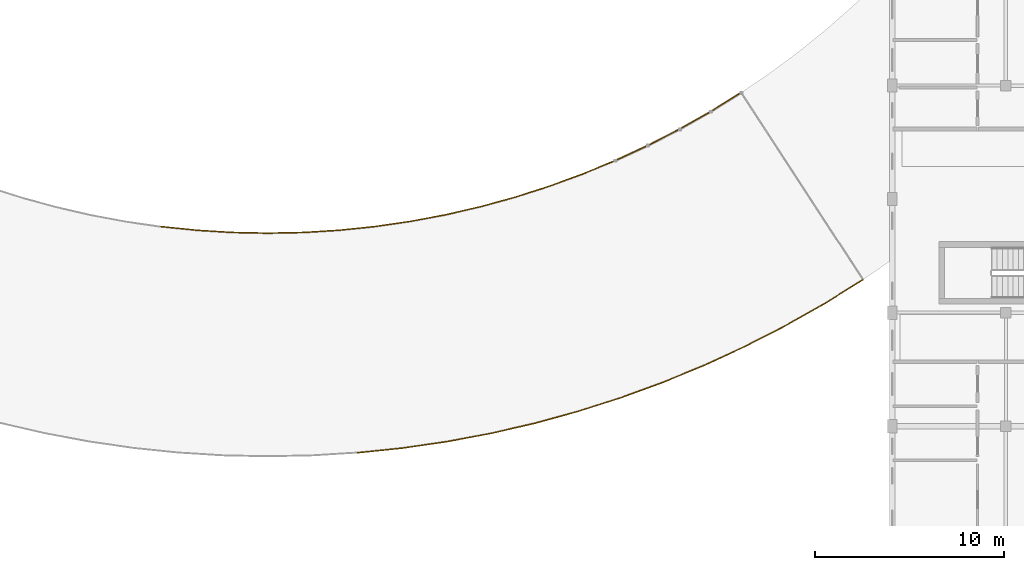
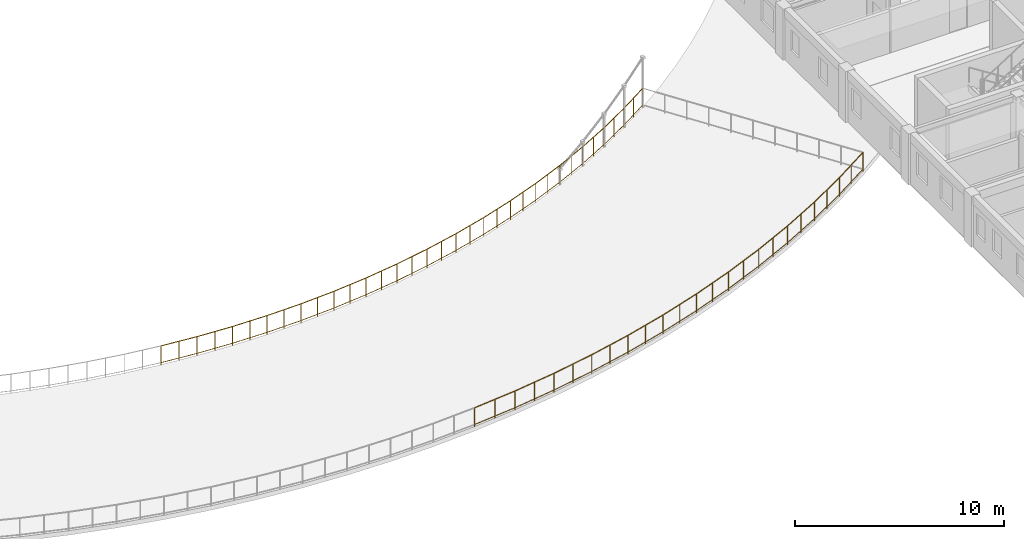
# One storey, part 52 of 58: 29 railings.
"""IFC4 building model written with IfcOpenShell, lengths in metres."""

import ifcopenshell
import ifcopenshell.guid

model = None  # the IFC model being written
_history = None  # IfcOwnerHistory: only IFC2X3 demands one
_inside = {}  # id of a spatial element -> (the spatial element, [elements in it])
_under = {}  # id of a project, library or spatial element -> (it, [spatial elements below it])
_declared = {}  # id of a project -> (the project, [libraries it declares])
_typed = {}  # id of a type object -> (the type object, [elements of that type])
_made_of = {}  # id of a material, layer set ... -> (it, [elements and type objects made of it])


def new_model(schema):
    """Start an empty IFC model of exactly this schema.

    Asked for "IFC4X3", IfcOpenShell would pick the latest addendum, in which some entities
    have other attributes; the version numbers below select the first issue.
    IFC2X3 requires an IfcOwnerHistory on every rooted entity: one is made here for all.
    """
    global model, _history
    if schema == "IFC4X3":
        model = ifcopenshell.file(schema_version=(4, 3, 0, 0))
    else:
        model = ifcopenshell.file(schema=schema)
    _inside.clear()
    _under.clear()
    _declared.clear()
    _typed.clear()
    _made_of.clear()
    _history = None
    if model.schema == "IFC2X3":
        org = make("IfcOrganization", Name="unknown")
        user = make(
            "IfcPersonAndOrganization",
            ThePerson=make("IfcPerson", FamilyName="unknown"),
            TheOrganization=org,
        )
        app = make(
            "IfcApplication",
            ApplicationDeveloper=org,
            Version="unknown",
            ApplicationFullName="unknown",
            ApplicationIdentifier="unknown",
        )
        _history = make(
            "IfcOwnerHistory",
            OwningUser=user,
            OwningApplication=app,
            ChangeAction="ADDED",
            CreationDate=0,
        )
    return model


def make(cls, **values):
    """One entity of the class cls with the attributes given. An attribute that is None is left unset."""
    return model.create_entity(
        cls, **{name: value for name, value in values.items() if value is not None}
    )


def rooted(cls, **values):
    """An entity with a GlobalId (a new one), such as an element, a storey or a relation."""
    return make(cls, GlobalId=ifcopenshell.guid.new(), OwnerHistory=_history, **values)


def si_unit(unit_type, name, prefix=None):
    """IfcSIUnit, for example si_unit("LENGTHUNIT", "METRE", prefix="MILLI")."""
    return make("IfcSIUnit", UnitType=unit_type, Prefix=prefix, Name=name)


def assignment(units):
    """IfcUnitAssignment: the units of a project."""
    return None if units is None else make("IfcUnitAssignment", Units=units)


def point(xyz):
    """IfcCartesianPoint."""
    return None if xyz is None else make("IfcCartesianPoint", Coordinates=xyz)


def direction(xyz):
    """IfcDirection."""
    return None if xyz is None else make("IfcDirection", DirectionRatios=xyz)


def frame(location, z_axis=None, x_axis=None):
    """IfcAxis2Placement3D, a coordinate frame: its origin and axes. An axis left out is left unset."""
    return make(
        "IfcAxis2Placement3D",
        Location=point(location),
        Axis=direction(z_axis),
        RefDirection=direction(x_axis),
    )


def frame_2d(location, x_axis=None):
    """IfcAxis2Placement2D, a coordinate frame in the plane: its origin and x axis."""
    return make(
        "IfcAxis2Placement2D", Location=point(location), RefDirection=direction(x_axis)
    )


def origin():
    """The frame at (0, 0, 0) with its axes left unset."""
    return frame((0.0, 0.0, 0.0))


def origin_2d():
    """The frame at (0, 0) in the plane with its x axis left unset."""
    return frame_2d((0.0, 0.0))


def place(relative_to, where):
    """IfcLocalPlacement: puts the frame where relative to a parent placement (None: the world)."""
    return make(
        "IfcLocalPlacement", PlacementRelTo=relative_to, RelativePlacement=where
    )


def context(
    kind, dimensions, precision=None, world=None, true_north=None, identifier=None
):
    """IfcGeometricRepresentationContext, for example the 3D "Model" context."""
    return make(
        "IfcGeometricRepresentationContext",
        ContextIdentifier=identifier,
        ContextType=kind,
        CoordinateSpaceDimension=dimensions,
        Precision=precision,
        WorldCoordinateSystem=world,
        TrueNorth=true_north,
    )


def subcontext(parent, identifier, kind, view, scale=None):
    """IfcGeometricRepresentationSubContext, for example "Body" below "Model"."""
    return make(
        "IfcGeometricRepresentationSubContext",
        ContextIdentifier=identifier,
        ContextType=kind,
        ParentContext=parent,
        TargetScale=scale,
        TargetView=view,
    )


def project(units=None, contexts=None):
    """IfcProject with its units and contexts."""
    return rooted(
        "IfcProject",
        Name="project",
        RepresentationContexts=contexts,
        UnitsInContext=assignment(units),
    )


def spatial(cls, under=None, at=None, **own):
    """A site, building, storey or space (cls), placed at a placement, below another one or the project."""
    s = rooted(cls, ObjectPlacement=at, **own)
    if under is not None:
        _under.setdefault(under.id(), (under, []))[1].append(s)
    return s


def profile(cls, at=None, kind="AREA", **sizes):
    """A parametric profile (cls). Its sizes go by their IFC names, for example OverallWidth=200.0."""
    return make(cls, ProfileType=kind, Position=at, **sizes)


def circle(**sizes):
    """IfcCircleProfileDef."""
    return profile("IfcCircleProfileDef", **sizes)


def extrude(swept, where, along, depth):
    """IfcExtrudedAreaSolid: the profile swept, set in the frame where, extruded along a direction by depth."""
    return make(
        "IfcExtrudedAreaSolid",
        SweptArea=swept,
        Position=where,
        ExtrudedDirection=direction(along),
        Depth=depth,
    )


def shape(context_of_items, identifier, shape_type, items):
    """IfcShapeRepresentation: the items that make up one representation, for example the "Body"."""
    return make(
        "IfcShapeRepresentation",
        ContextOfItems=context_of_items,
        RepresentationIdentifier=identifier,
        RepresentationType=shape_type,
        Items=items,
    )


def material(Name=None, Category=None):
    """IfcMaterial."""
    return make("IfcMaterial", Name=Name, Category=Category)


def layer(
    of_material, thickness, ventilated=None, Name=None, Category=None, Priority=None
):
    """IfcMaterialLayer: one layer of a wall or slab, of a material (None: an air gap)."""
    return make(
        "IfcMaterialLayer",
        Material=of_material,
        LayerThickness=thickness,
        IsVentilated=ventilated,
        Name=Name,
        Category=Category,
        Priority=Priority,
    )


def layer_set(layers, Name=None):
    """IfcMaterialLayerSet."""
    return make("IfcMaterialLayerSet", MaterialLayers=layers, LayerSetName=Name)


def made_of(thing, what):
    """Note that an element or type object is made of a material, layer set ...; save() writes the relation."""
    if what is not None:
        _made_of.setdefault(what.id(), (what, []))[1].append(thing)
    return thing


def type_object(cls, material=None, **own):
    """A type object (cls), such as IfcWallType, which elements share."""
    return made_of(rooted(cls, **own), material)


def element(
    cls,
    number,
    at=None,
    inside=None,
    cuts=None,
    type_object=None,
    material=None,
    context=None,
    identifier="Body",
    shape_type=None,
    held_by="IfcProductDefinitionShape",
    body=None,
    shapes=None,
    **own,
):
    """One element of the class cls, such as IfcWall. Its Tag is "e" and its number.

    at: its placement. inside: the storey or other place that contains it. cuts: it is an
    opening in that element (IfcRelVoidsElement). A single representation is given by context,
    identifier, shape_type and body (its items); several are given by shapes. held_by: the class
    of the entity that holds the representations. save() writes the other relations.
    """
    e = rooted(cls, Tag="e%d" % number, ObjectPlacement=at, **own)
    if body is not None:
        shapes = [shape(context, identifier, shape_type, body)]
    if shapes is not None:
        e.Representation = make(held_by, Representations=shapes)
    if inside is not None:
        _inside.setdefault(inside.id(), (inside, []))[1].append(e)
    if cuts is not None:
        rooted(
            "IfcRelVoidsElement", RelatingBuildingElement=cuts, RelatedOpeningElement=e
        )
    if type_object is not None:
        _typed.setdefault(type_object.id(), (type_object, []))[1].append(e)
    return made_of(e, material)


def aggregate(whole, parts):
    """IfcRelAggregates: a whole, such as a stair, and the parts it consists of."""
    return rooted("IfcRelAggregates", RelatingObject=whole, RelatedObjects=parts)


def save(model, path):
    """Write the relations noted so far, then the file.

    IfcRelAggregates (storeys below a building ...), IfcRelContainedInSpatialStructure (elements
    in a storey), IfcRelDefinesByType, IfcRelAssociatesMaterial and IfcRelDeclares: one each for
    every whole, place, type object, material and project.
    """
    for whole, parts in _under.values():
        aggregate(whole, parts)
    for where, things in _inside.values():
        rooted(
            "IfcRelContainedInSpatialStructure",
            RelatedElements=things,
            RelatingStructure=where,
        )
    for kind, things in _typed.values():
        rooted("IfcRelDefinesByType", RelatedObjects=things, RelatingType=kind)
    for what, things in _made_of.values():
        rooted("IfcRelAssociatesMaterial", RelatedObjects=things, RelatingMaterial=what)
    for by, libraries in _declared.values():
        rooted("IfcRelDeclares", RelatingContext=by, RelatedDefinitions=libraries)
    model.write(path)


model = new_model("IFC4")

# Units and contexts
model_context = context("Model", 3, precision=1e-05, world=origin(), true_north=direction((0.0, 1.0)))
body_context = subcontext(model_context, "Body", "Model", "MODEL_VIEW")
ifc_project = project(units=[si_unit("LENGTHUNIT", "METRE"), si_unit("AREAUNIT", "SQUARE_METRE"), si_unit("VOLUMEUNIT", "CUBIC_METRE"), si_unit("PLANEANGLEUNIT", "RADIAN"), si_unit("MASSUNIT", "GRAM", prefix="KILO"), si_unit("POWERUNIT", "WATT"), si_unit("THERMODYNAMICTEMPERATUREUNIT", "KELVIN")], contexts=[model_context])

# Site, building, storey
site_placement = place(None, origin())
site = spatial("IfcSite", under=ifc_project, at=site_placement, CompositionType="ELEMENT")
building_placement = place(site_placement, origin())
building = spatial("IfcBuilding", under=site, at=building_placement, Name="Ruvembo Vaulted Housing Court", CompositionType="ELEMENT")
storey_placement = place(building_placement, frame((0.0, 0.0, 20.5)))
storey = spatial("IfcBuildingStorey", under=building, at=storey_placement, Name="L06", CompositionType="ELEMENT", Elevation=20.5)

# Railings
ifc_material = material(Name="Galvanised Painted Steel and Laminated Glass", Category="steel")
ifc_layer = layer(ifc_material, 0.070068359375, Name="Galvanised Painted Steel and Laminated Glass")
ifc_layer_set = layer_set([ifc_layer], Name="Galvanised Painted Steel and Laminated Glass")
railing_type = type_object("IfcRailingType", Name="RL-BALUST-1120", PredefinedType="BALUSTRADE", material=ifc_layer_set)
railing_1_placement = place(storey_placement, frame((63.34619140625, 16.55029296875, 0.0)))
element("IfcRailing", 1, at=railing_1_placement, inside=storey, type_object=railing_type, Name="L06 Perimeter Guard RL-EXT-L06-0508", PredefinedType="BALUSTRADE", context=body_context, shape_type="SweptSolid", body=[
    extrude(circle(Radius=0.02392578125, at=origin_2d()), frame((0.0, 0.0, 1.09619140625), z_axis=(0.994683125416, -0.10298291127, 0.0), x_axis=(0.10298291127, 0.994683125416, 0.0)), (0.0, 0.0, 1.0), 1.889404296875),
    extrude(circle(Radius=0.01806640625, at=origin_2d()), frame((0.0, 0.0, 0.1201171875), z_axis=(0.994683125416, -0.10298291127, 0.0), x_axis=(0.10298291127, 0.994683125416, 0.0)), (0.0, 0.0, 1.0), 1.889404296875),
    extrude(circle(Radius=0.02099609375, at=origin_2d()), origin(), (0.0, 0.0, 1.0), 1.072021484375),
    extrude(circle(Radius=0.02099609375, at=origin_2d()), frame((0.939697265625, -0.09716796875, 0.0)), (0.0, 0.0, 1.0), 1.072021484375),
    extrude(circle(Radius=0.02099609375, at=origin_2d()), frame((1.87939453125, -0.194580078125, 0.0)), (0.0, 0.0, 1.0), 1.072021484375),
])
railing_2_placement = place(storey_placement, frame((65.2255859375, 16.355712890625, 0.0)))
element("IfcRailing", 2, at=railing_2_placement, inside=storey, type_object=railing_type, Name="L06 Perimeter Guard RL-EXT-L06-0509", PredefinedType="BALUSTRADE", context=body_context, shape_type="SweptSolid", body=[
    extrude(circle(Radius=0.02392578125, at=origin_2d()), frame((0.0, 0.0, 1.09619140625), z_axis=(0.998090110864, -0.061774837886, 0.0), x_axis=(0.061774837886, 0.998090110864, 0.0)), (0.0, 0.0, 1.0), 1.88916015625),
    extrude(circle(Radius=0.01806640625, at=origin_2d()), frame((0.0, 0.0, 0.1201171875), z_axis=(0.998090110864, -0.061774837886, 0.0), x_axis=(0.061774837886, 0.998090110864, 0.0)), (0.0, 0.0, 1.0), 1.88916015625),
    extrude(circle(Radius=0.02099609375, at=origin_2d()), origin(), (0.0, 0.0, 1.0), 1.072021484375),
    extrude(circle(Radius=0.02099609375, at=origin_2d()), frame((0.94287109375, -0.058349609375, 0.0)), (0.0, 0.0, 1.0), 1.072021484375),
    extrude(circle(Radius=0.02099609375, at=origin_2d()), frame((1.885498046875, -0.11669921875, 0.0)), (0.0, 0.0, 1.0), 1.072021484375),
])
railing_3_placement = place(storey_placement, frame((67.111083984375, 16.239013671875, 0.0)))
element("IfcRailing", 3, at=railing_3_placement, inside=storey, type_object=railing_type, Name="L06 Perimeter Guard RL-EXT-L06-0510", PredefinedType="BALUSTRADE", context=body_context, shape_type="SweptSolid", body=[
    extrude(circle(Radius=0.02392578125, at=origin_2d()), frame((0.0, 0.0, 1.09619140625), z_axis=(0.99978624046, -0.020675429556, 0.0), x_axis=(0.020675429556, 0.99978624046, 0.0)), (0.0, 0.0, 1.0), 1.889404296875),
    extrude(circle(Radius=0.01806640625, at=origin_2d()), frame((0.0, 0.0, 0.1201171875), z_axis=(0.99978624046, -0.020675429556, 0.0), x_axis=(0.020675429556, 0.99978624046, 0.0)), (0.0, 0.0, 1.0), 1.889404296875),
    extrude(circle(Radius=0.02099609375, at=origin_2d()), origin(), (0.0, 0.0, 1.0), 1.072021484375),
    extrude(circle(Radius=0.02099609375, at=origin_2d()), frame((0.9443359375, -0.01953125, 0.0)), (0.0, 0.0, 1.0), 1.072021484375),
    extrude(circle(Radius=0.02099609375, at=origin_2d()), frame((1.888916015625, -0.0390625, 0.0)), (0.0, 0.0, 1.0), 1.072021484375),
])
railing_4_placement = place(storey_placement, frame((69.0, 16.199951171875, 0.0)))
element("IfcRailing", 4, at=railing_4_placement, inside=storey, type_object=railing_type, Name="L06 Perimeter Guard RL-EXT-L06-0511", PredefinedType="BALUSTRADE", context=body_context, shape_type="SweptSolid", body=[
    extrude(circle(Radius=0.02392578125, at=origin_2d()), frame((0.0, 0.0, 1.09619140625), z_axis=(0.99978624046, 0.020675429556, 0.0), x_axis=(-0.020675429556, 0.99978624046, 0.0)), (0.0, 0.0, 1.0), 1.889404296875),
    extrude(circle(Radius=0.01806640625, at=origin_2d()), frame((0.0, 0.0, 0.1201171875), z_axis=(0.99978624046, 0.020675429556, 0.0), x_axis=(-0.020675429556, 0.99978624046, 0.0)), (0.0, 0.0, 1.0), 1.889404296875),
    extrude(circle(Radius=0.02099609375, at=origin_2d()), origin(), (0.0, 0.0, 1.0), 1.072021484375),
    extrude(circle(Radius=0.02099609375, at=origin_2d()), frame((0.9443359375, 0.01953125, 0.0)), (0.0, 0.0, 1.0), 1.072021484375),
    extrude(circle(Radius=0.02099609375, at=origin_2d()), frame((1.888916015625, 0.0390625, 0.0)), (0.0, 0.0, 1.0), 1.072021484375),
])
railing_5_placement = place(storey_placement, frame((70.888916015625, 16.239013671875, 0.0)))
element("IfcRailing", 5, at=railing_5_placement, inside=storey, type_object=railing_type, Name="L06 Perimeter Guard RL-EXT-L06-0512", PredefinedType="BALUSTRADE", context=body_context, shape_type="SweptSolid", body=[
    extrude(circle(Radius=0.02392578125, at=origin_2d()), frame((0.0, 0.0, 1.09619140625), z_axis=(0.998090110864, 0.061774837886, 0.0), x_axis=(-0.061774837886, 0.998090110864, 0.0)), (0.0, 0.0, 1.0), 1.88916015625),
    extrude(circle(Radius=0.01806640625, at=origin_2d()), frame((0.0, 0.0, 0.1201171875), z_axis=(0.998090110864, 0.061774837886, 0.0), x_axis=(-0.061774837886, 0.998090110864, 0.0)), (0.0, 0.0, 1.0), 1.88916015625),
    extrude(circle(Radius=0.02099609375, at=origin_2d()), origin(), (0.0, 0.0, 1.0), 1.072021484375),
    extrude(circle(Radius=0.02099609375, at=origin_2d()), frame((0.94287109375, 0.058349609375, 0.0)), (0.0, 0.0, 1.0), 1.072021484375),
    extrude(circle(Radius=0.02099609375, at=origin_2d()), frame((1.885498046875, 0.11669921875, 0.0)), (0.0, 0.0, 1.0), 1.072021484375),
])
railing_6_placement = place(storey_placement, frame((72.7744140625, 16.355712890625, 0.0)))
element("IfcRailing", 6, at=railing_6_placement, inside=storey, type_object=railing_type, Name="L06 Perimeter Guard RL-EXT-L06-0513", PredefinedType="BALUSTRADE", context=body_context, shape_type="SweptSolid", body=[
    extrude(circle(Radius=0.02392578125, at=origin_2d()), frame((0.0, 0.0, 1.09619140625), z_axis=(0.994683125416, 0.10298291127, 0.0), x_axis=(-0.10298291127, 0.994683125416, 0.0)), (0.0, 0.0, 1.0), 1.889404296875),
    extrude(circle(Radius=0.01806640625, at=origin_2d()), frame((0.0, 0.0, 0.1201171875), z_axis=(0.994683125416, 0.10298291127, 0.0), x_axis=(-0.10298291127, 0.994683125416, 0.0)), (0.0, 0.0, 1.0), 1.889404296875),
    extrude(circle(Radius=0.02099609375, at=origin_2d()), origin(), (0.0, 0.0, 1.0), 1.072021484375),
    extrude(circle(Radius=0.02099609375, at=origin_2d()), frame((0.939697265625, 0.09716796875, 0.0)), (0.0, 0.0, 1.0), 1.072021484375),
    extrude(circle(Radius=0.02099609375, at=origin_2d()), frame((1.87939453125, 0.194580078125, 0.0)), (0.0, 0.0, 1.0), 1.072021484375),
])
railing_7_placement = place(storey_placement, frame((74.65380859375, 16.55029296875, 0.0)))
element("IfcRailing", 7, at=railing_7_placement, inside=storey, type_object=railing_type, Name="L06 Perimeter Guard RL-EXT-L06-0514", PredefinedType="BALUSTRADE", context=body_context, shape_type="SweptSolid", body=[
    extrude(circle(Radius=0.02392578125, at=origin_2d()), frame((0.0, 0.0, 1.09619140625), z_axis=(0.989600158039, 0.143845497701, 0.0), x_axis=(-0.143845497701, 0.989600158039, 0.0)), (0.0, 0.0, 1.0), 1.888916015625),
    extrude(circle(Radius=0.01806640625, at=origin_2d()), frame((0.0, 0.0, 0.1201171875), z_axis=(0.989600158039, 0.143845497701, 0.0), x_axis=(-0.143845497701, 0.989600158039, 0.0)), (0.0, 0.0, 1.0), 1.888916015625),
    extrude(circle(Radius=0.02099609375, at=origin_2d()), origin(), (0.0, 0.0, 1.0), 1.072021484375),
    extrude(circle(Radius=0.02099609375, at=origin_2d()), frame((0.9345703125, 0.1357421875, 0.0)), (0.0, 0.0, 1.0), 1.072021484375),
    extrude(circle(Radius=0.02099609375, at=origin_2d()), frame((1.869384765625, 0.271728515625, 0.0)), (0.0, 0.0, 1.0), 1.072021484375),
])
railing_8_placement = place(storey_placement, frame((76.523193359375, 16.822021484375, 0.0)))
element("IfcRailing", 8, at=railing_8_placement, inside=storey, type_object=railing_type, Name="L06 Perimeter Guard RL-EXT-L06-0515", PredefinedType="BALUSTRADE", context=body_context, shape_type="SweptSolid", body=[
    extrude(circle(Radius=0.02392578125, at=origin_2d()), frame((0.0, 0.0, 1.09619140625), z_axis=(0.982804832401, 0.184647397515, 0.0), x_axis=(-0.184647397515, 0.982804832401, 0.0)), (0.0, 0.0, 1.0), 1.889404296875),
    extrude(circle(Radius=0.01806640625, at=origin_2d()), frame((0.0, 0.0, 0.1201171875), z_axis=(0.982804832401, 0.184647397515, 0.0), x_axis=(-0.184647397515, 0.982804832401, 0.0)), (0.0, 0.0, 1.0), 1.889404296875),
    extrude(circle(Radius=0.02099609375, at=origin_2d()), origin(), (0.0, 0.0, 1.0), 1.072021484375),
    extrude(circle(Radius=0.02099609375, at=origin_2d()), frame((0.928466796875, 0.17431640625, 0.0)), (0.0, 0.0, 1.0), 1.072021484375),
    extrude(circle(Radius=0.02099609375, at=origin_2d()), frame((1.85693359375, 0.348876953125, 0.0)), (0.0, 0.0, 1.0), 1.072021484375),
])
railing_9_placement = place(storey_placement, frame((78.380126953125, 17.1708984375, 0.0)))
element("IfcRailing", 9, at=railing_9_placement, inside=storey, type_object=railing_type, Name="L06 Perimeter Guard RL-EXT-L06-0516", PredefinedType="BALUSTRADE", context=body_context, shape_type="SweptSolid", body=[
    extrude(circle(Radius=0.02392578125, at=origin_2d()), frame((0.0, 0.0, 1.09619140625), z_axis=(0.974391195695, 0.224859506699, 0.0), x_axis=(-0.224859506699, 0.974391195695, 0.0)), (0.0, 0.0, 1.0), 1.88916015625),
    extrude(circle(Radius=0.01806640625, at=origin_2d()), frame((0.0, 0.0, 0.1201171875), z_axis=(0.974391195695, 0.224859506699, 0.0), x_axis=(-0.224859506699, 0.974391195695, 0.0)), (0.0, 0.0, 1.0), 1.88916015625),
    extrude(circle(Radius=0.02099609375, at=origin_2d()), origin(), (0.0, 0.0, 1.0), 1.072021484375),
    extrude(circle(Radius=0.02099609375, at=origin_2d()), frame((0.92041015625, 0.21240234375, 0.0)), (0.0, 0.0, 1.0), 1.072021484375),
    extrude(circle(Radius=0.02099609375, at=origin_2d()), frame((1.8408203125, 0.4248046875, 0.0)), (0.0, 0.0, 1.0), 1.072021484375),
])
railing_10_placement = place(storey_placement, frame((80.220947265625, 17.595703125, 0.0)))
element("IfcRailing", 10, at=railing_10_placement, inside=storey, type_object=railing_type, Name="L06 Perimeter Guard RL-EXT-L06-0517", PredefinedType="BALUSTRADE", context=body_context, shape_type="SweptSolid", body=[
    extrude(circle(Radius=0.02392578125, at=origin_2d()), frame((0.0, 0.0, 1.09619140625), z_axis=(0.964240073493, 0.26503033915, 0.0), x_axis=(-0.26503033915, 0.964240073493, 0.0)), (0.0, 0.0, 1.0), 1.889404296875),
    extrude(circle(Radius=0.01806640625, at=origin_2d()), frame((0.0, 0.0, 0.1201171875), z_axis=(0.964240073493, 0.26503033915, 0.0), x_axis=(-0.26503033915, 0.964240073493, 0.0)), (0.0, 0.0, 1.0), 1.889404296875),
    extrude(circle(Radius=0.02099609375, at=origin_2d()), origin(), (0.0, 0.0, 1.0), 1.072021484375),
    extrude(circle(Radius=0.02099609375, at=origin_2d()), frame((0.910888671875, 0.25048828125, 0.0)), (0.0, 0.0, 1.0), 1.072021484375),
    extrude(circle(Radius=0.02099609375, at=origin_2d()), frame((1.82177734375, 0.500732421875, 0.0)), (0.0, 0.0, 1.0), 1.072021484375),
])
railing_11_placement = place(storey_placement, frame((82.042724609375, 18.096435546875, 0.0)))
element("IfcRailing", 11, at=railing_11_placement, inside=storey, type_object=railing_type, Name="L06 Perimeter Guard RL-EXT-L06-0518", PredefinedType="BALUSTRADE", context=body_context, shape_type="SweptSolid", body=[
    extrude(circle(Radius=0.02392578125, at=origin_2d()), frame((0.0, 0.0, 1.09619140625), z_axis=(0.952526124364, 0.304456864605, 0.0), x_axis=(-0.304456864605, 0.952526124364, 0.0)), (0.0, 0.0, 1.0), 1.88916015625),
    extrude(circle(Radius=0.01806640625, at=origin_2d()), frame((0.0, 0.0, 0.1201171875), z_axis=(0.952526124364, 0.304456864605, 0.0), x_axis=(-0.304456864605, 0.952526124364, 0.0)), (0.0, 0.0, 1.0), 1.88916015625),
    extrude(circle(Radius=0.02099609375, at=origin_2d()), origin(), (0.0, 0.0, 1.0), 1.072021484375),
    extrude(circle(Radius=0.02099609375, at=origin_2d()), frame((0.89990234375, 0.28759765625, 0.0)), (0.0, 0.0, 1.0), 1.072021484375),
    extrude(circle(Radius=0.02099609375, at=origin_2d()), frame((1.799560546875, 0.5751953125, 0.0)), (0.0, 0.0, 1.0), 1.072021484375),
])
railing_12_placement = place(storey_placement, frame((83.84228515625, 18.671630859375, 0.0)))
element("IfcRailing", 12, at=railing_12_placement, inside=storey, type_object=railing_type, Name="L06 Perimeter Guard RL-EXT-L06-0519", PredefinedType="BALUSTRADE", context=body_context, shape_type="SweptSolid", body=[
    extrude(circle(Radius=0.02392578125, at=origin_2d()), frame((0.0, 0.0, 1.09619140625), z_axis=(0.939165556371, 0.343464783824, 0.0), x_axis=(-0.343464783824, 0.939165556371, 0.0)), (0.0, 0.0, 1.0), 1.889404296875),
    extrude(circle(Radius=0.01806640625, at=origin_2d()), frame((0.0, 0.0, 0.1201171875), z_axis=(0.939165556371, 0.343464783824, 0.0), x_axis=(-0.343464783824, 0.939165556371, 0.0)), (0.0, 0.0, 1.0), 1.889404296875),
    extrude(circle(Radius=0.02099609375, at=origin_2d()), origin(), (0.0, 0.0, 1.0), 1.072021484375),
    extrude(circle(Radius=0.02099609375, at=origin_2d()), frame((0.88720703125, 0.324462890625, 0.0)), (0.0, 0.0, 1.0), 1.072021484375),
    extrude(circle(Radius=0.02099609375, at=origin_2d()), frame((1.7744140625, 0.64892578125, 0.0)), (0.0, 0.0, 1.0), 1.072021484375),
])
railing_13_placement = place(storey_placement, frame((85.61669921875, 19.320556640625, 0.0)))
element("IfcRailing", 13, at=railing_13_placement, inside=storey, type_object=railing_type, Name="L06 Perimeter Guard RL-EXT-L06-0520", PredefinedType="BALUSTRADE", context=body_context, shape_type="SweptSolid", body=[
    extrude(circle(Radius=0.02392578125, at=origin_2d()), frame((0.0, 0.0, 1.09619140625), z_axis=(0.924155321549, 0.38201693896, 0.0), x_axis=(-0.38201693896, 0.924155321549, 0.0)), (0.0, 0.0, 1.0), 1.88916015625),
    extrude(circle(Radius=0.01806640625, at=origin_2d()), frame((0.0, 0.0, 0.1201171875), z_axis=(0.924155321549, 0.38201693896, 0.0), x_axis=(-0.38201693896, 0.924155321549, 0.0)), (0.0, 0.0, 1.0), 1.88916015625),
    extrude(circle(Radius=0.02099609375, at=origin_2d()), origin(), (0.0, 0.0, 1.0), 1.072021484375),
    extrude(circle(Radius=0.02099609375, at=origin_2d()), frame((0.873046875, 0.36083984375, 0.0)), (0.0, 0.0, 1.0), 1.072021484375),
    extrude(circle(Radius=0.02099609375, at=origin_2d()), frame((1.745849609375, 0.7216796875, 0.0)), (0.0, 0.0, 1.0), 1.072021484375),
])
railing_14_placement = place(storey_placement, frame((87.362548828125, 20.042236328125, 0.0)))
element("IfcRailing", 14, at=railing_14_placement, inside=storey, type_object=railing_type, Name="L06 Perimeter Guard RL-EXT-L06-0521", PredefinedType="BALUSTRADE", context=body_context, shape_type="SweptSolid", body=[
    extrude(circle(Radius=0.02392578125, at=origin_2d()), frame((0.0, 0.0, 1.09619140625), z_axis=(0.907656578832, 0.419713634403, 0.0), x_axis=(-0.419713634403, 0.907656578832, 0.0)), (0.0, 0.0, 1.0), 1.889404296875),
    extrude(circle(Radius=0.01806640625, at=origin_2d()), frame((0.0, 0.0, 0.1201171875), z_axis=(0.907656578832, 0.419713634403, 0.0), x_axis=(-0.419713634403, 0.907656578832, 0.0)), (0.0, 0.0, 1.0), 1.889404296875),
    extrude(circle(Radius=0.02099609375, at=origin_2d()), origin(), (0.0, 0.0, 1.0), 1.072021484375),
    extrude(circle(Radius=0.02099609375, at=origin_2d()), frame((0.857421875, 0.396484375, 0.0)), (0.0, 0.0, 1.0), 1.072021484375),
    extrude(circle(Radius=0.02099609375, at=origin_2d()), frame((1.71484375, 0.79296875, 0.0)), (0.0, 0.0, 1.0), 1.072021484375),
])
railing_15_placement = place(storey_placement, frame((89.077392578125, 20.835205078125, 0.0)))
element("IfcRailing", 15, at=railing_15_placement, inside=storey, type_object=railing_type, Name="L06 Perimeter Guard RL-EXT-L06-0522", PredefinedType="BALUSTRADE", context=body_context, shape_type="SweptSolid", body=[
    extrude(circle(Radius=0.02392578125, at=origin_2d()), frame((0.0, 0.0, 1.09619140625), z_axis=(0.889568437347, 0.45680192127, 0.0), x_axis=(-0.45680192127, 0.889568437347, 0.0)), (0.0, 0.0, 1.0), 1.889404296875),
    extrude(circle(Radius=0.01806640625, at=origin_2d()), frame((0.0, 0.0, 0.1201171875), z_axis=(0.889568437347, 0.45680192127, 0.0), x_axis=(-0.45680192127, 0.889568437347, 0.0)), (0.0, 0.0, 1.0), 1.889404296875),
    extrude(circle(Radius=0.02099609375, at=origin_2d()), origin(), (0.0, 0.0, 1.0), 1.072021484375),
    extrude(circle(Radius=0.02099609375, at=origin_2d()), frame((0.84033203125, 0.431640625, 0.0)), (0.0, 0.0, 1.0), 1.072021484375),
    extrude(circle(Radius=0.02099609375, at=origin_2d()), frame((1.6806640625, 0.863037109375, 0.0)), (0.0, 0.0, 1.0), 1.072021484375),
])
railing_16_placement = place(storey_placement, frame((90.758056640625, 21.6982421875, 0.0)))
element("IfcRailing", 16, at=railing_16_placement, inside=storey, type_object=railing_type, Name="L06 Perimeter Guard RL-EXT-L06-0523", PredefinedType="BALUSTRADE", context=body_context, shape_type="SweptSolid", body=[
    extrude(circle(Radius=0.02392578125, at=origin_2d()), frame((0.0, 0.0, 1.09619140625), z_axis=(0.869955662473, 0.493129947712, 0.0), x_axis=(-0.493129947712, 0.869955662473, 0.0)), (0.0, 0.0, 1.0), 1.88916015625),
    extrude(circle(Radius=0.01806640625, at=origin_2d()), frame((0.0, 0.0, 0.1201171875), z_axis=(0.869955662473, 0.493129947712, 0.0), x_axis=(-0.493129947712, 0.869955662473, 0.0)), (0.0, 0.0, 1.0), 1.88916015625),
    extrude(circle(Radius=0.02099609375, at=origin_2d()), origin(), (0.0, 0.0, 1.0), 1.072021484375),
    extrude(circle(Radius=0.02099609375, at=origin_2d()), frame((0.82177734375, 0.4658203125, 0.0)), (0.0, 0.0, 1.0), 1.072021484375),
    extrude(circle(Radius=0.02099609375, at=origin_2d()), frame((1.6435546875, 0.931640625, 0.0)), (0.0, 0.0, 1.0), 1.072021484375),
])
railing_17_placement = place(storey_placement, frame((92.401611328125, 22.6298828125, 0.0)))
element("IfcRailing", 17, at=railing_17_placement, inside=storey, type_object=railing_type, Name="L06 Perimeter Guard RL-EXT-L06-0524", PredefinedType="BALUSTRADE", context=body_context, shape_type="SweptSolid", body=[
    extrude(circle(Radius=0.02392578125, at=origin_2d()), frame((0.0, 0.0, 1.09619140625), z_axis=(0.848904567119, 0.52854615307, 0.0), x_axis=(-0.52854615307, 0.848904567119, 0.0)), (0.0, 0.0, 1.0), 1.88916015625),
    extrude(circle(Radius=0.01806640625, at=origin_2d()), frame((0.0, 0.0, 0.1201171875), z_axis=(0.848904567119, 0.52854615307, 0.0), x_axis=(-0.52854615307, 0.848904567119, 0.0)), (0.0, 0.0, 1.0), 1.88916015625),
    extrude(circle(Radius=0.02099609375, at=origin_2d()), origin(), (0.0, 0.0, 1.0), 1.072021484375),
    extrude(circle(Radius=0.02099609375, at=origin_2d()), frame((0.8017578125, 0.499267578125, 0.0)), (0.0, 0.0, 1.0), 1.072021484375),
    extrude(circle(Radius=0.02099609375, at=origin_2d()), frame((1.603759765625, 0.99853515625, 0.0)), (0.0, 0.0, 1.0), 1.072021484375),
])
railing_18_placement = place(storey_placement, frame((100.44775390625, 13.742431640625, 0.0)))
element("IfcRailing", 18, at=railing_18_placement, inside=storey, type_object=railing_type, Name="L06 Perimeter Guard RL-EXT-L06-0526", PredefinedType="BALUSTRADE", context=body_context, shape_type="SweptSolid", body=[
    extrude(circle(Radius=0.02392578125, at=origin_2d()), frame((0.0, 0.0, 1.09619140625), z_axis=(-0.848880379805, -0.528584998634, 0.0), x_axis=(0.528584998634, -0.848880379805, 0.0)), (0.0, 0.0, 1.0), 2.3759765625),
    extrude(circle(Radius=0.01806640625, at=origin_2d()), frame((0.0, 0.0, 0.1201171875), z_axis=(-0.848880379805, -0.528584998634, 0.0), x_axis=(0.528584998634, -0.848880379805, 0.0)), (0.0, 0.0, 1.0), 2.3759765625),
    extrude(circle(Radius=0.02099609375, at=origin_2d()), origin(), (0.0, 0.0, 1.0), 1.072021484375),
    extrude(circle(Radius=0.02099609375, at=origin_2d()), frame((-1.00830078125, -0.6279296875, 0.0)), (0.0, 0.0, 1.0), 1.072021484375),
    extrude(circle(Radius=0.02099609375, at=origin_2d()), frame((-2.016845703125, -1.255859375, 0.0)), (0.0, 0.0, 1.0), 1.072021484375),
])
railing_19_placement = place(storey_placement, frame((98.430908203125, 12.486572265625, 0.0)))
element("IfcRailing", 19, at=railing_19_placement, inside=storey, type_object=railing_type, Name="L06 Perimeter Guard RL-EXT-L06-0527", PredefinedType="BALUSTRADE", context=body_context, shape_type="SweptSolid", body=[
    extrude(circle(Radius=0.02392578125, at=origin_2d()), frame((0.0, 0.0, 1.09619140625), z_axis=(-0.869976640693, -0.493092937131, 0.0), x_axis=(0.493092937131, -0.869976640693, 0.0)), (0.0, 0.0, 1.0), 2.3759765625),
    extrude(circle(Radius=0.01806640625, at=origin_2d()), frame((0.0, 0.0, 0.1201171875), z_axis=(-0.869976640693, -0.493092937131, 0.0), x_axis=(0.493092937131, -0.869976640693, 0.0)), (0.0, 0.0, 1.0), 2.3759765625),
    extrude(circle(Radius=0.02099609375, at=origin_2d()), origin(), (0.0, 0.0, 1.0), 1.072021484375),
    extrude(circle(Radius=0.02099609375, at=origin_2d()), frame((-1.03369140625, -0.5859375, 0.0)), (0.0, 0.0, 1.0), 1.072021484375),
    extrude(circle(Radius=0.02099609375, at=origin_2d()), frame((-2.067138671875, -1.171630859375, 0.0)), (0.0, 0.0, 1.0), 1.072021484375),
])
railing_20_placement = place(storey_placement, frame((96.36376953125, 11.31494140625, 0.0)))
element("IfcRailing", 20, at=railing_20_placement, inside=storey, type_object=railing_type, Name="L06 Perimeter Guard RL-EXT-L06-0528", PredefinedType="BALUSTRADE", context=body_context, shape_type="SweptSolid", body=[
    extrude(circle(Radius=0.02392578125, at=origin_2d()), frame((0.0, 0.0, 1.09619140625), z_axis=(-0.889545575332, -0.456846439636, 0.0), x_axis=(0.456846439636, -0.889545575332, 0.0)), (0.0, 0.0, 1.0), 2.3759765625),
    extrude(circle(Radius=0.01806640625, at=origin_2d()), frame((0.0, 0.0, 0.1201171875), z_axis=(-0.889545575332, -0.456846439636, 0.0), x_axis=(0.456846439636, -0.889545575332, 0.0)), (0.0, 0.0, 1.0), 2.3759765625),
    extrude(circle(Radius=0.02099609375, at=origin_2d()), origin(), (0.0, 0.0, 1.0), 1.072021484375),
    extrude(circle(Radius=0.02099609375, at=origin_2d()), frame((-1.056640625, -0.542724609375, 0.0)), (0.0, 0.0, 1.0), 1.072021484375),
    extrude(circle(Radius=0.02099609375, at=origin_2d()), frame((-2.113525390625, -1.08544921875, 0.0)), (0.0, 0.0, 1.0), 1.072021484375),
])
railing_21_placement = place(storey_placement, frame((94.250244140625, 10.2294921875, 0.0)))
element("IfcRailing", 21, at=railing_21_placement, inside=storey, type_object=railing_type, Name="L06 Perimeter Guard RL-EXT-L06-0529", PredefinedType="BALUSTRADE", context=body_context, shape_type="SweptSolid", body=[
    extrude(circle(Radius=0.02392578125, at=origin_2d()), frame((0.0, 0.0, 1.09619140625), z_axis=(-0.907655419738, -0.419716141004, 0.0), x_axis=(0.419716141004, -0.907655419738, 0.0)), (0.0, 0.0, 1.0), 2.376220703125),
    extrude(circle(Radius=0.01806640625, at=origin_2d()), frame((0.0, 0.0, 0.1201171875), z_axis=(-0.907655419738, -0.419716141004, 0.0), x_axis=(0.419716141004, -0.907655419738, 0.0)), (0.0, 0.0, 1.0), 2.376220703125),
    extrude(circle(Radius=0.02099609375, at=origin_2d()), origin(), (0.0, 0.0, 1.0), 1.072021484375),
    extrude(circle(Radius=0.02099609375, at=origin_2d()), frame((-1.078369140625, -0.49853515625, 0.0)), (0.0, 0.0, 1.0), 1.072021484375),
    extrude(circle(Radius=0.02099609375, at=origin_2d()), frame((-2.15673828125, -0.997314453125, 0.0)), (0.0, 0.0, 1.0), 1.072021484375),
])
railing_22_placement = place(storey_placement, frame((92.093505859375, 9.232177734375, 0.0)))
element("IfcRailing", 22, at=railing_22_placement, inside=storey, type_object=railing_type, Name="L06 Perimeter Guard RL-EXT-L06-0530", PredefinedType="BALUSTRADE", context=body_context, shape_type="SweptSolid", body=[
    extrude(circle(Radius=0.02392578125, at=origin_2d()), frame((0.0, 0.0, 1.09619140625), z_axis=(-0.924185741563, -0.381943340159, 0.0), x_axis=(0.381943340159, -0.924185741563, 0.0)), (0.0, 0.0, 1.0), 2.3759765625),
    extrude(circle(Radius=0.01806640625, at=origin_2d()), frame((0.0, 0.0, 0.1201171875), z_axis=(-0.924185741563, -0.381943340159, 0.0), x_axis=(0.381943340159, -0.924185741563, 0.0)), (0.0, 0.0, 1.0), 2.3759765625),
    extrude(circle(Radius=0.02099609375, at=origin_2d()), origin(), (0.0, 0.0, 1.0), 1.072021484375),
    extrude(circle(Radius=0.02099609375, at=origin_2d()), frame((-1.097900390625, -0.45361328125, 0.0)), (0.0, 0.0, 1.0), 1.072021484375),
    extrude(circle(Radius=0.02099609375, at=origin_2d()), frame((-2.19580078125, -0.907470703125, 0.0)), (0.0, 0.0, 1.0), 1.072021484375),
])
railing_23_placement = place(storey_placement, frame((89.897705078125, 8.32470703125, 0.0)))
element("IfcRailing", 23, at=railing_23_placement, inside=storey, type_object=railing_type, Name="L06 Perimeter Guard RL-EXT-L06-0531", PredefinedType="BALUSTRADE", context=body_context, shape_type="SweptSolid", body=[
    extrude(circle(Radius=0.02392578125, at=origin_2d()), frame((0.0, 0.0, 1.09619140625), z_axis=(-0.939119617609, -0.343590372132, 0.0), x_axis=(0.343590372132, -0.939119617609, 0.0)), (0.0, 0.0, 1.0), 2.376220703125),
    extrude(circle(Radius=0.01806640625, at=origin_2d()), frame((0.0, 0.0, 0.1201171875), z_axis=(-0.939119617609, -0.343590372132, 0.0), x_axis=(0.343590372132, -0.939119617609, 0.0)), (0.0, 0.0, 1.0), 2.376220703125),
    extrude(circle(Radius=0.02099609375, at=origin_2d()), origin(), (0.0, 0.0, 1.0), 1.072021484375),
    extrude(circle(Radius=0.02099609375, at=origin_2d()), frame((-1.11572265625, -0.408203125, 0.0)), (0.0, 0.0, 1.0), 1.072021484375),
    extrude(circle(Radius=0.02099609375, at=origin_2d()), frame((-2.2314453125, -0.81640625, 0.0)), (0.0, 0.0, 1.0), 1.072021484375),
])
railing_24_placement = place(storey_placement, frame((87.666259765625, 7.50830078125, 0.0)))
element("IfcRailing", 24, at=railing_24_placement, inside=storey, type_object=railing_type, Name="L06 Perimeter Guard RL-EXT-L06-0532", PredefinedType="BALUSTRADE", context=body_context, shape_type="SweptSolid", body=[
    extrude(circle(Radius=0.02392578125, at=origin_2d()), frame((0.0, 0.0, 1.09619140625), z_axis=(-0.952525505826, -0.304458799759, 0.0), x_axis=(0.304458799759, -0.952525505826, 0.0)), (0.0, 0.0, 1.0), 2.3759765625),
    extrude(circle(Radius=0.01806640625, at=origin_2d()), frame((0.0, 0.0, 0.1201171875), z_axis=(-0.952525505826, -0.304458799759, 0.0), x_axis=(0.304458799759, -0.952525505826, 0.0)), (0.0, 0.0, 1.0), 2.3759765625),
    extrude(circle(Radius=0.02099609375, at=origin_2d()), origin(), (0.0, 0.0, 1.0), 1.072021484375),
    extrude(circle(Radius=0.02099609375, at=origin_2d()), frame((-1.131591796875, -0.36181640625, 0.0)), (0.0, 0.0, 1.0), 1.072021484375),
    extrude(circle(Radius=0.02099609375, at=origin_2d()), frame((-2.26318359375, -0.723388671875, 0.0)), (0.0, 0.0, 1.0), 1.072021484375),
])
railing_25_placement = place(storey_placement, frame((85.403076171875, 6.784912109375, 0.0)))
element("IfcRailing", 25, at=railing_25_placement, inside=storey, type_object=railing_type, Name="L06 Perimeter Guard RL-EXT-L06-0533", PredefinedType="BALUSTRADE", context=body_context, shape_type="SweptSolid", body=[
    extrude(circle(Radius=0.02392578125, at=origin_2d()), frame((0.0, 0.0, 1.09619140625), z_axis=(-0.964273666592, -0.264908089565, 0.0), x_axis=(0.264908089565, -0.964273666592, 0.0)), (0.0, 0.0, 1.0), 2.3759765625),
    extrude(circle(Radius=0.01806640625, at=origin_2d()), frame((0.0, 0.0, 0.1201171875), z_axis=(-0.964273666592, -0.264908089565, 0.0), x_axis=(0.264908089565, -0.964273666592, 0.0)), (0.0, 0.0, 1.0), 2.3759765625),
    extrude(circle(Radius=0.02099609375, at=origin_2d()), origin(), (0.0, 0.0, 1.0), 1.072021484375),
    extrude(circle(Radius=0.02099609375, at=origin_2d()), frame((-1.1455078125, -0.314697265625, 0.0)), (0.0, 0.0, 1.0), 1.072021484375),
    extrude(circle(Radius=0.02099609375, at=origin_2d()), frame((-2.291015625, -0.62939453125, 0.0)), (0.0, 0.0, 1.0), 1.072021484375),
])
railing_26_placement = place(storey_placement, frame((83.112060546875, 6.155517578125, 0.0)))
element("IfcRailing", 26, at=railing_26_placement, inside=storey, type_object=railing_type, Name="L06 Perimeter Guard RL-EXT-L06-0534", PredefinedType="BALUSTRADE", context=body_context, shape_type="SweptSolid", body=[
    extrude(circle(Radius=0.02392578125, at=origin_2d()), frame((0.0, 0.0, 1.09619140625), z_axis=(-0.974377339926, -0.224919539924, 0.0), x_axis=(0.224919539924, -0.974377339926, 0.0)), (0.0, 0.0, 1.0), 2.3759765625),
    extrude(circle(Radius=0.01806640625, at=origin_2d()), frame((0.0, 0.0, 0.1201171875), z_axis=(-0.974377339926, -0.224919539924, 0.0), x_axis=(0.224919539924, -0.974377339926, 0.0)), (0.0, 0.0, 1.0), 2.3759765625),
    extrude(circle(Radius=0.02099609375, at=origin_2d()), origin(), (0.0, 0.0, 1.0), 1.072021484375),
    extrude(circle(Radius=0.02099609375, at=origin_2d()), frame((-1.15771484375, -0.26708984375, 0.0)), (0.0, 0.0, 1.0), 1.072021484375),
    extrude(circle(Radius=0.02099609375, at=origin_2d()), frame((-2.315185546875, -0.534423828125, 0.0)), (0.0, 0.0, 1.0), 1.072021484375),
])
railing_27_placement = place(storey_placement, frame((80.796875, 5.62109375, 0.0)))
element("IfcRailing", 27, at=railing_27_placement, inside=storey, type_object=railing_type, Name="L06 Perimeter Guard RL-EXT-L06-0535", PredefinedType="BALUSTRADE", context=body_context, shape_type="SweptSolid", body=[
    extrude(circle(Radius=0.02392578125, at=origin_2d()), frame((0.0, 0.0, 1.09619140625), z_axis=(-0.982805820353, -0.184642138962, 0.0), x_axis=(0.184642138962, -0.982805820353, 0.0)), (0.0, 0.0, 1.0), 2.3759765625),
    extrude(circle(Radius=0.01806640625, at=origin_2d()), frame((0.0, 0.0, 0.1201171875), z_axis=(-0.982805820353, -0.184642138962, 0.0), x_axis=(0.184642138962, -0.982805820353, 0.0)), (0.0, 0.0, 1.0), 2.3759765625),
    extrude(circle(Radius=0.02099609375, at=origin_2d()), origin(), (0.0, 0.0, 1.0), 1.072021484375),
    extrude(circle(Radius=0.02099609375, at=origin_2d()), frame((-1.16748046875, -0.21923828125, 0.0)), (0.0, 0.0, 1.0), 1.072021484375),
    extrude(circle(Radius=0.02099609375, at=origin_2d()), frame((-2.335205078125, -0.438720703125, 0.0)), (0.0, 0.0, 1.0), 1.072021484375),
])
railing_28_placement = place(storey_placement, frame((78.461669921875, 5.182373046875, 0.0)))
element("IfcRailing", 28, at=railing_28_placement, inside=storey, type_object=railing_type, Name="L06 Perimeter Guard RL-EXT-L06-0536", PredefinedType="BALUSTRADE", context=body_context, shape_type="SweptSolid", body=[
    extrude(circle(Radius=0.02392578125, at=origin_2d()), frame((0.0, 0.0, 1.09619140625), z_axis=(-0.989599208634, -0.143852029082, 0.0), x_axis=(0.143852029082, -0.989599208634, 0.0)), (0.0, 0.0, 1.0), 2.3759765625),
    extrude(circle(Radius=0.01806640625, at=origin_2d()), frame((0.0, 0.0, 0.1201171875), z_axis=(-0.989599208634, -0.143852029082, 0.0), x_axis=(0.143852029082, -0.989599208634, 0.0)), (0.0, 0.0, 1.0), 2.3759765625),
    extrude(circle(Radius=0.02099609375, at=origin_2d()), origin(), (0.0, 0.0, 1.0), 1.072021484375),
    extrude(circle(Radius=0.02099609375, at=origin_2d()), frame((-1.17578125, -0.1708984375, 0.0)), (0.0, 0.0, 1.0), 1.072021484375),
    extrude(circle(Radius=0.02099609375, at=origin_2d()), frame((-2.351318359375, -0.341796875, 0.0)), (0.0, 0.0, 1.0), 1.072021484375),
])
railing_29_placement = place(storey_placement, frame((76.1103515625, 4.840576171875, 0.0)))
element("IfcRailing", 29, at=railing_29_placement, inside=storey, type_object=railing_type, Name="L06 Perimeter Guard RL-EXT-L06-0537", PredefinedType="BALUSTRADE", context=body_context, shape_type="SweptSolid", body=[
    extrude(circle(Radius=0.02392578125, at=origin_2d()), frame((0.0, 0.0, 1.09619140625), z_axis=(-0.994685263749, -0.102962255607, 0.0), x_axis=(0.102962255607, -0.994685263749, 0.0)), (0.0, 0.0, 1.0), 2.3759765625),
    extrude(circle(Radius=0.01806640625, at=origin_2d()), frame((0.0, 0.0, 0.1201171875), z_axis=(-0.994685263749, -0.102962255607, 0.0), x_axis=(0.102962255607, -0.994685263749, 0.0)), (0.0, 0.0, 1.0), 2.3759765625),
    extrude(circle(Radius=0.02099609375, at=origin_2d()), origin(), (0.0, 0.0, 1.0), 1.072021484375),
    extrude(circle(Radius=0.02099609375, at=origin_2d()), frame((-1.181640625, -0.122314453125, 0.0)), (0.0, 0.0, 1.0), 1.072021484375),
    extrude(circle(Radius=0.02099609375, at=origin_2d()), frame((-2.36328125, -0.24462890625, 0.0)), (0.0, 0.0, 1.0), 1.072021484375),
])

save(model, "model.ifc")
